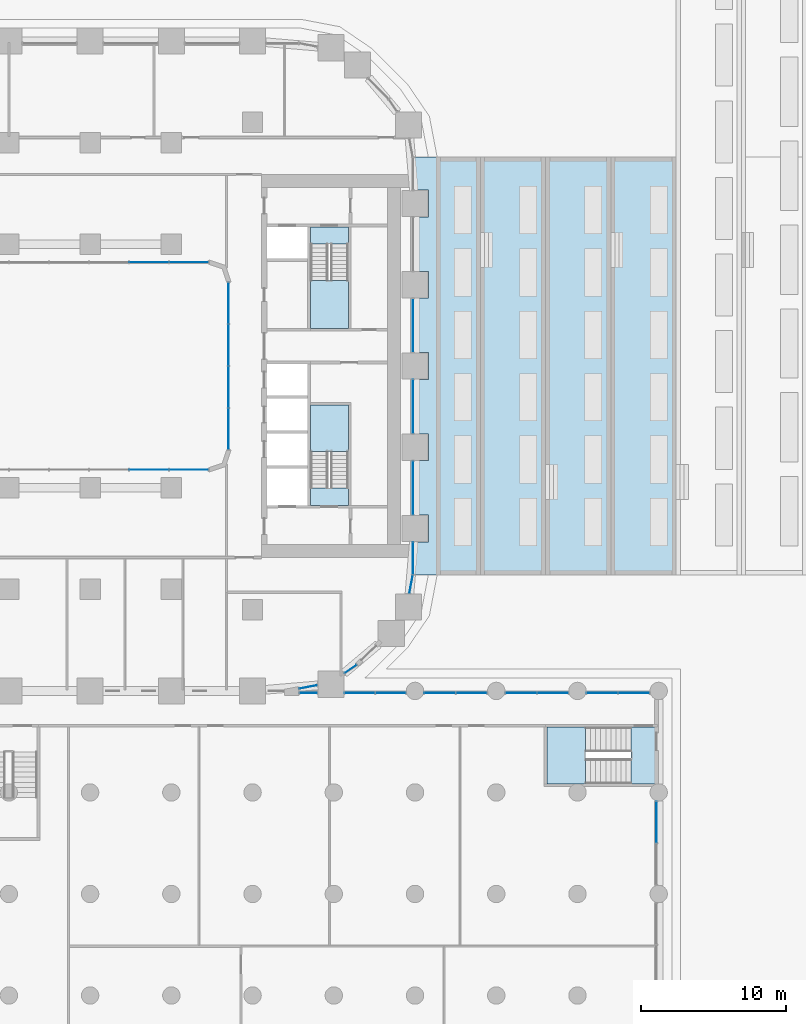
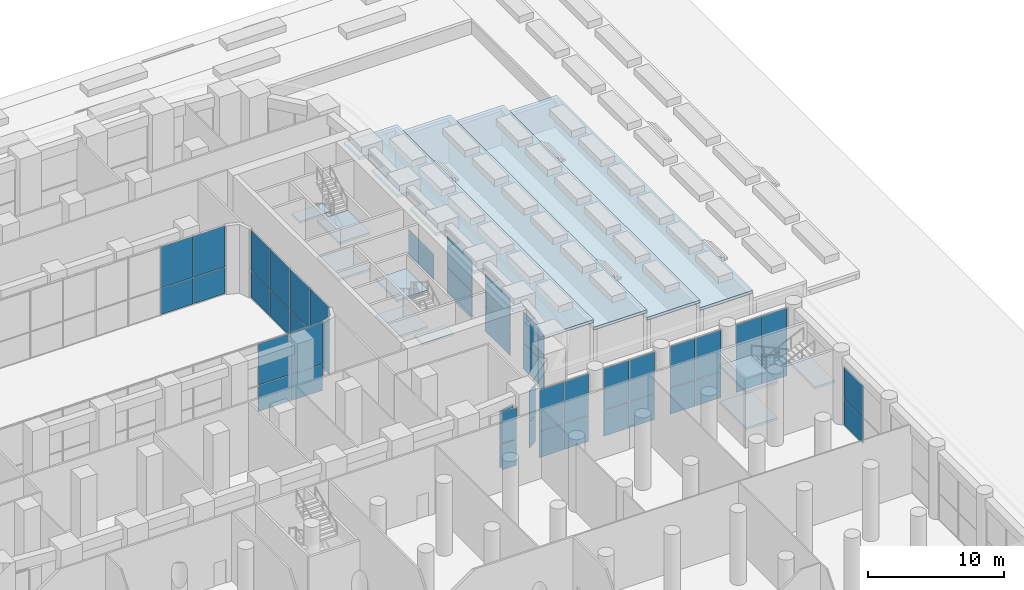
# One storey, part 26 of 51: 49 plates, 13 slabs, 19 elements without a shape of their own.
"""IFC4 building model written with IfcOpenShell, lengths in metres."""

import ifcopenshell
import ifcopenshell.guid

model = None  # the IFC model being written
_history = None  # IfcOwnerHistory: only IFC2X3 demands one
_inside = {}  # id of a spatial element -> (the spatial element, [elements in it])
_under = {}  # id of a project, library or spatial element -> (it, [spatial elements below it])
_declared = {}  # id of a project -> (the project, [libraries it declares])
_typed = {}  # id of a type object -> (the type object, [elements of that type])
_made_of = {}  # id of a material, layer set ... -> (it, [elements and type objects made of it])


def new_model(schema):
    """Start an empty IFC model of exactly this schema.

    Asked for "IFC4X3", IfcOpenShell would pick the latest addendum, in which some entities
    have other attributes; the version numbers below select the first issue.
    IFC2X3 requires an IfcOwnerHistory on every rooted entity: one is made here for all.
    """
    global model, _history
    if schema == "IFC4X3":
        model = ifcopenshell.file(schema_version=(4, 3, 0, 0))
    else:
        model = ifcopenshell.file(schema=schema)
    _inside.clear()
    _under.clear()
    _declared.clear()
    _typed.clear()
    _made_of.clear()
    _history = None
    if model.schema == "IFC2X3":
        org = make("IfcOrganization", Name="unknown")
        user = make(
            "IfcPersonAndOrganization",
            ThePerson=make("IfcPerson", FamilyName="unknown"),
            TheOrganization=org,
        )
        app = make(
            "IfcApplication",
            ApplicationDeveloper=org,
            Version="unknown",
            ApplicationFullName="unknown",
            ApplicationIdentifier="unknown",
        )
        _history = make(
            "IfcOwnerHistory",
            OwningUser=user,
            OwningApplication=app,
            ChangeAction="ADDED",
            CreationDate=0,
        )
    return model


def make(cls, **values):
    """One entity of the class cls with the attributes given. An attribute that is None is left unset."""
    return model.create_entity(
        cls, **{name: value for name, value in values.items() if value is not None}
    )


def rooted(cls, **values):
    """An entity with a GlobalId (a new one), such as an element, a storey or a relation."""
    return make(cls, GlobalId=ifcopenshell.guid.new(), OwnerHistory=_history, **values)


def si_unit(unit_type, name, prefix=None):
    """IfcSIUnit, for example si_unit("LENGTHUNIT", "METRE", prefix="MILLI")."""
    return make("IfcSIUnit", UnitType=unit_type, Prefix=prefix, Name=name)


def assignment(units):
    """IfcUnitAssignment: the units of a project."""
    return None if units is None else make("IfcUnitAssignment", Units=units)


def point(xyz):
    """IfcCartesianPoint."""
    return None if xyz is None else make("IfcCartesianPoint", Coordinates=xyz)


def direction(xyz):
    """IfcDirection."""
    return None if xyz is None else make("IfcDirection", DirectionRatios=xyz)


def frame(location, z_axis=None, x_axis=None):
    """IfcAxis2Placement3D, a coordinate frame: its origin and axes. An axis left out is left unset."""
    return make(
        "IfcAxis2Placement3D",
        Location=point(location),
        Axis=direction(z_axis),
        RefDirection=direction(x_axis),
    )


def frame_2d(location, x_axis=None):
    """IfcAxis2Placement2D, a coordinate frame in the plane: its origin and x axis."""
    return make(
        "IfcAxis2Placement2D", Location=point(location), RefDirection=direction(x_axis)
    )


def origin():
    """The frame at (0, 0, 0) with its axes left unset."""
    return frame((0.0, 0.0, 0.0))


def origin_2d():
    """The frame at (0, 0) in the plane with its x axis left unset."""
    return frame_2d((0.0, 0.0))


def place(relative_to, where):
    """IfcLocalPlacement: puts the frame where relative to a parent placement (None: the world)."""
    return make(
        "IfcLocalPlacement", PlacementRelTo=relative_to, RelativePlacement=where
    )


def context(
    kind, dimensions, precision=None, world=None, true_north=None, identifier=None
):
    """IfcGeometricRepresentationContext, for example the 3D "Model" context."""
    return make(
        "IfcGeometricRepresentationContext",
        ContextIdentifier=identifier,
        ContextType=kind,
        CoordinateSpaceDimension=dimensions,
        Precision=precision,
        WorldCoordinateSystem=world,
        TrueNorth=true_north,
    )


def subcontext(parent, identifier, kind, view, scale=None):
    """IfcGeometricRepresentationSubContext, for example "Body" below "Model"."""
    return make(
        "IfcGeometricRepresentationSubContext",
        ContextIdentifier=identifier,
        ContextType=kind,
        ParentContext=parent,
        TargetScale=scale,
        TargetView=view,
    )


def project(units=None, contexts=None):
    """IfcProject with its units and contexts."""
    return rooted(
        "IfcProject",
        Name="project",
        RepresentationContexts=contexts,
        UnitsInContext=assignment(units),
    )


def spatial(cls, under=None, at=None, **own):
    """A site, building, storey or space (cls), placed at a placement, below another one or the project."""
    s = rooted(cls, ObjectPlacement=at, **own)
    if under is not None:
        _under.setdefault(under.id(), (under, []))[1].append(s)
    return s


def polyline(points):
    """IfcPolyline through the points."""
    return make("IfcPolyline", Points=[point(p) for p in points])


def profile(cls, at=None, kind="AREA", **sizes):
    """A parametric profile (cls). Its sizes go by their IFC names, for example OverallWidth=200.0."""
    return make(cls, ProfileType=kind, Position=at, **sizes)


def rectangle(**sizes):
    """IfcRectangleProfileDef."""
    return profile("IfcRectangleProfileDef", **sizes)


def outline(outer, holes=None, kind="AREA"):
    """IfcArbitraryClosedProfileDef: a profile drawn as a closed curve; with holes, ...WithVoids."""
    if holes is None:
        return make("IfcArbitraryClosedProfileDef", ProfileType=kind, OuterCurve=outer)
    return make(
        "IfcArbitraryProfileDefWithVoids",
        ProfileType=kind,
        OuterCurve=outer,
        InnerCurves=holes,
    )


def extrude(swept, where, along, depth):
    """IfcExtrudedAreaSolid: the profile swept, set in the frame where, extruded along a direction by depth."""
    return make(
        "IfcExtrudedAreaSolid",
        SweptArea=swept,
        Position=where,
        ExtrudedDirection=direction(along),
        Depth=depth,
    )


def shape(context_of_items, identifier, shape_type, items):
    """IfcShapeRepresentation: the items that make up one representation, for example the "Body"."""
    return make(
        "IfcShapeRepresentation",
        ContextOfItems=context_of_items,
        RepresentationIdentifier=identifier,
        RepresentationType=shape_type,
        Items=items,
    )


def material(Name=None, Category=None):
    """IfcMaterial."""
    return make("IfcMaterial", Name=Name, Category=Category)


def layer(
    of_material, thickness, ventilated=None, Name=None, Category=None, Priority=None
):
    """IfcMaterialLayer: one layer of a wall or slab, of a material (None: an air gap)."""
    return make(
        "IfcMaterialLayer",
        Material=of_material,
        LayerThickness=thickness,
        IsVentilated=ventilated,
        Name=Name,
        Category=Category,
        Priority=Priority,
    )


def layer_set(layers, Name=None):
    """IfcMaterialLayerSet."""
    return make("IfcMaterialLayerSet", MaterialLayers=layers, LayerSetName=Name)


def made_of(thing, what):
    """Note that an element or type object is made of a material, layer set ...; save() writes the relation."""
    if what is not None:
        _made_of.setdefault(what.id(), (what, []))[1].append(thing)
    return thing


def type_object(cls, material=None, **own):
    """A type object (cls), such as IfcWallType, which elements share."""
    return made_of(rooted(cls, **own), material)


def element(
    cls,
    number,
    at=None,
    inside=None,
    cuts=None,
    type_object=None,
    material=None,
    context=None,
    identifier="Body",
    shape_type=None,
    held_by="IfcProductDefinitionShape",
    body=None,
    shapes=None,
    **own,
):
    """One element of the class cls, such as IfcWall. Its Tag is "e" and its number.

    at: its placement. inside: the storey or other place that contains it. cuts: it is an
    opening in that element (IfcRelVoidsElement). A single representation is given by context,
    identifier, shape_type and body (its items); several are given by shapes. held_by: the class
    of the entity that holds the representations. save() writes the other relations.
    """
    e = rooted(cls, Tag="e%d" % number, ObjectPlacement=at, **own)
    if body is not None:
        shapes = [shape(context, identifier, shape_type, body)]
    if shapes is not None:
        e.Representation = make(held_by, Representations=shapes)
    if inside is not None:
        _inside.setdefault(inside.id(), (inside, []))[1].append(e)
    if cuts is not None:
        rooted(
            "IfcRelVoidsElement", RelatingBuildingElement=cuts, RelatedOpeningElement=e
        )
    if type_object is not None:
        _typed.setdefault(type_object.id(), (type_object, []))[1].append(e)
    return made_of(e, material)


def aggregate(whole, parts):
    """IfcRelAggregates: a whole, such as a stair, and the parts it consists of."""
    return rooted("IfcRelAggregates", RelatingObject=whole, RelatedObjects=parts)


def save(model, path):
    """Write the relations noted so far, then the file.

    IfcRelAggregates (storeys below a building ...), IfcRelContainedInSpatialStructure (elements
    in a storey), IfcRelDefinesByType, IfcRelAssociatesMaterial and IfcRelDeclares: one each for
    every whole, place, type object, material and project.
    """
    for whole, parts in _under.values():
        aggregate(whole, parts)
    for where, things in _inside.values():
        rooted(
            "IfcRelContainedInSpatialStructure",
            RelatedElements=things,
            RelatingStructure=where,
        )
    for kind, things in _typed.values():
        rooted("IfcRelDefinesByType", RelatedObjects=things, RelatingType=kind)
    for what, things in _made_of.values():
        rooted("IfcRelAssociatesMaterial", RelatedObjects=things, RelatingMaterial=what)
    for by, libraries in _declared.values():
        rooted("IfcRelDeclares", RelatingContext=by, RelatedDefinitions=libraries)
    model.write(path)


model = new_model("IFC4")

# Units and contexts
model_context = context("Model", 3, precision=1e-05, world=origin(), true_north=direction((0.0, 1.0)))
body_context = subcontext(model_context, "Body", "Model", "MODEL_VIEW")
ifc_project = project(units=[si_unit("LENGTHUNIT", "METRE"), si_unit("AREAUNIT", "SQUARE_METRE"), si_unit("VOLUMEUNIT", "CUBIC_METRE"), si_unit("PLANEANGLEUNIT", "RADIAN"), si_unit("MASSUNIT", "GRAM", prefix="KILO")], contexts=[model_context])

# Site, building, storey
site_placement = place(None, origin())
site = spatial("IfcSite", under=ifc_project, at=site_placement, CompositionType="ELEMENT")
building_placement = place(site_placement, origin())
building = spatial("IfcBuilding", under=site, at=building_placement, Name="Kiln Ring Residences", CompositionType="ELEMENT")
storey_placement = place(building_placement, origin())
storey = spatial("IfcBuildingStorey", under=building, at=storey_placement, Name="L00", CompositionType="ELEMENT", Elevation=0.0)

# Stair, slabs
ifc_material_1 = material(Name="Concrete C40/50", Category="concrete")
stair_type_1 = type_object("IfcStairType", Name="CORE-STAIR", PredefinedType="HALF_TURN_STAIR", material=ifc_material_1)
placement_1 = place(storey_placement, origin())
stair_1 = element("IfcStair", 1, at=placement_1, inside=storey, type_object=stair_type_1, Name="L00 stair E-STN", PredefinedType="HALF_TURN_STAIR")
ifc_material_2 = material(Name="Concrete C40/50", Category="concrete")
ifc_layer_1 = layer(ifc_material_2, 0.199951171875)
ifc_layer_set_1 = layer_set([ifc_layer_1], Name="CORE-STAIR-LANDING")
slab_type_1 = type_object("IfcSlabType", Name="CORE-STAIR-LANDING", PredefinedType="LANDING", material=ifc_layer_set_1)
placement_2 = place(storey_placement, frame((0.0, 0.0, 1.425048828125)))
slab_1 = element("IfcSlab", 2, at=placement_2, type_object=slab_type_1, Name="E-STN landing 1", PredefinedType="LANDING", context=body_context, shape_type="SweptSolid", body=[
    extrude(outline(polyline([(20.800048828125, 5.8798828125), (20.800048828125, 2.60009765625), (23.39990234375, 2.60009765625), (23.39990234375, 5.8798828125), (20.800048828125, 5.8798828125)])), origin(), (0.0, 0.0, 1.0), 0.199951171875),
])
placement_3 = place(storey_placement, frame((0.0, 0.0, 3.050048828125)))
slab_2 = element("IfcSlab", 3, at=placement_3, type_object=slab_type_1, Name="E-STN landing 2", PredefinedType="LANDING", context=body_context, shape_type="SweptSolid", body=[
    extrude(outline(polyline([(20.800048828125, 9.60009765625), (20.800048828125, 8.39990234375), (23.39990234375, 8.39990234375), (23.39990234375, 9.60009765625), (20.800048828125, 9.60009765625)])), origin(), (0.0, 0.0, 1.0), 0.199951171875),
])
placement_4 = place(storey_placement, frame((0.0, 0.0, 4.675048828125)))
slab_3 = element("IfcSlab", 4, at=placement_4, type_object=slab_type_1, Name="E-STN landing 3", PredefinedType="LANDING", context=body_context, shape_type="SweptSolid", body=[
    extrude(outline(polyline([(20.800048828125, 5.8798828125), (20.800048828125, 2.60009765625), (23.39990234375, 2.60009765625), (23.39990234375, 5.8798828125), (20.800048828125, 5.8798828125)])), origin(), (0.0, 0.0, 1.0), 0.199951171875),
])
aggregate(stair_1, [slab_1, slab_2, slab_3])

stair_2 = element("IfcStair", 5, at=placement_1, inside=storey, type_object=stair_type_1, Name="L00 stair E-STS", PredefinedType="HALF_TURN_STAIR")
slab_4 = element("IfcSlab", 6, at=placement_2, type_object=slab_type_1, Name="E-STS landing 1", PredefinedType="LANDING", context=body_context, shape_type="SweptSolid", body=[
    extrude(outline(polyline([(23.39990234375, -5.8798828125), (23.39990234375, -2.699951171875), (20.800048828125, -2.699951171875), (20.800048828125, -5.8798828125), (23.39990234375, -5.8798828125)])), origin(), (0.0, 0.0, 1.0), 0.199951171875),
])
slab_5 = element("IfcSlab", 7, at=placement_3, type_object=slab_type_1, Name="E-STS landing 2", PredefinedType="LANDING", context=body_context, shape_type="SweptSolid", body=[
    extrude(outline(polyline([(23.39990234375, -9.60009765625), (23.39990234375, -8.39990234375), (20.800048828125, -8.39990234375), (20.800048828125, -9.60009765625), (23.39990234375, -9.60009765625)])), origin(), (0.0, 0.0, 1.0), 0.199951171875),
])
slab_6 = element("IfcSlab", 8, at=placement_4, type_object=slab_type_1, Name="E-STS landing 3", PredefinedType="LANDING", context=body_context, shape_type="SweptSolid", body=[
    extrude(outline(polyline([(23.39990234375, -5.8798828125), (23.39990234375, -2.699951171875), (20.800048828125, -2.699951171875), (20.800048828125, -5.8798828125), (23.39990234375, -5.8798828125)])), origin(), (0.0, 0.0, 1.0), 0.199951171875),
])
aggregate(stair_2, [slab_4, slab_5, slab_6])

# Curtain wall, plates
ifc_material_3 = material(Name="Aluminium and glass", Category="aluminium")
ifc_layer_2 = layer(ifc_material_3, 0.179931640625)
ifc_layer_set_2 = layer_set([ifc_layer_2], Name="CW2 CURTAIN WALL")
curtain_wall_type = type_object("IfcCurtainWallType", Name="CW2 CURTAIN WALL", PredefinedType="NOTDEFINED", material=ifc_layer_set_2)
curtain_wall_1 = element("IfcCurtainWall", 9, at=placement_1, inside=storey, type_object=curtain_wall_type, Name="Curtain wall CW2 L00", PredefinedType="NOTDEFINED")
ifc_material_4 = material(Name="Glass, clear toughened", Category="glass")
ifc_layer_3 = layer(ifc_material_4, 0.02392578125)
ifc_layer_set_3 = layer_set([ifc_layer_3], Name="CW2 PANEL 24")
plate_type = type_object("IfcPlateType", Name="CW2 PANEL 24", PredefinedType="CURTAIN_PANEL", material=ifc_layer_set_3)
plate_1_placement = place(storey_placement, frame((44.64990234375, -31.46240234375, 0.0498046875), z_axis=(0.0, 0.0, 1.0), x_axis=(0.0, 1.0, 0.0)))
plate_1 = element("IfcPlate", 10, at=plate_1_placement, type_object=plate_type, Name="CW2 panel 2.1", PredefinedType="CURTAIN_PANEL", context=body_context, shape_type="SweptSolid", body=[
    extrude(rectangle(XDim=2.824951171875, YDim=0.02392578125, at=origin_2d()), origin(), (0.0, 0.0, 1.0), 2.324951171875),
])
plate_2_placement = place(storey_placement, frame((44.64990234375, -31.46240234375, 2.425048828125), z_axis=(0.0, 0.0, 1.0), x_axis=(0.0, 1.0, 0.0)))
plate_2 = element("IfcPlate", 11, at=plate_2_placement, type_object=plate_type, Name="CW2 panel 2.2", PredefinedType="CURTAIN_PANEL", context=body_context, shape_type="SweptSolid", body=[
    extrude(rectangle(XDim=2.824951171875, YDim=0.02392578125, at=origin_2d()), origin(), (0.0, 0.0, 1.0), 2.875),
])
aggregate(curtain_wall_1, [plate_1, plate_2])

curtain_wall_2 = element("IfcCurtainWall", 12, at=placement_1, inside=storey, type_object=curtain_wall_type, Name="Curtain wall CW2 L00", PredefinedType="NOTDEFINED")
plate_3_placement = place(storey_placement, frame((43.08740234375, -22.550048828125, 0.0498046875), z_axis=(0.0, 0.0, 1.0), x_axis=(-1.0, 0.0, 0.0)))
plate_3 = element("IfcPlate", 13, at=plate_3_placement, type_object=plate_type, Name="CW2 panel 1.1", PredefinedType="CURTAIN_PANEL", context=body_context, shape_type="SweptSolid", body=[
    extrude(rectangle(XDim=2.125, YDim=0.02392578125, at=origin_2d()), origin(), (0.0, 0.0, 1.0), 2.324951171875),
])
plate_4_placement = place(storey_placement, frame((43.08740234375, -22.550048828125, 2.4248046875), z_axis=(0.0, 0.0, 1.0), x_axis=(-1.0, 0.0, 0.0)))
plate_4 = element("IfcPlate", 14, at=plate_4_placement, type_object=plate_type, Name="CW2 panel 1.2", PredefinedType="CURTAIN_PANEL", context=body_context, shape_type="SweptSolid", body=[
    extrude(rectangle(XDim=2.125, YDim=0.02392578125, at=origin_2d()), origin(), (0.0, 0.0, 1.0), 3.675048828125),
])
plate_5_placement = place(storey_placement, frame((40.91259765625, -22.550048828125, 0.0498046875), z_axis=(0.0, 0.0, 1.0), x_axis=(-1.0, 0.0, 0.0)))
plate_5 = element("IfcPlate", 15, at=plate_5_placement, type_object=plate_type, Name="CW2 panel 2.1", PredefinedType="CURTAIN_PANEL", context=body_context, shape_type="SweptSolid", body=[
    extrude(rectangle(XDim=2.125, YDim=0.02392578125, at=origin_2d()), origin(), (0.0, 0.0, 1.0), 2.324951171875),
])
plate_6_placement = place(storey_placement, frame((40.91259765625, -22.550048828125, 2.4248046875), z_axis=(0.0, 0.0, 1.0), x_axis=(-1.0, 0.0, 0.0)))
plate_6 = element("IfcPlate", 16, at=plate_6_placement, type_object=plate_type, Name="CW2 panel 2.2", PredefinedType="CURTAIN_PANEL", context=body_context, shape_type="SweptSolid", body=[
    extrude(rectangle(XDim=2.125, YDim=0.02392578125, at=origin_2d()), origin(), (0.0, 0.0, 1.0), 3.675048828125),
])
aggregate(curtain_wall_2, [plate_3, plate_4, plate_5, plate_6])

curtain_wall_3 = element("IfcCurtainWall", 17, at=placement_1, inside=storey, type_object=curtain_wall_type, Name="Curtain wall CW2 L00", PredefinedType="NOTDEFINED")
plate_7_placement = place(storey_placement, frame((37.487548828125, -22.550048828125, 0.0498046875), z_axis=(0.0, 0.0, 1.0), x_axis=(-1.0, 0.0, 0.0)))
plate_7 = element("IfcPlate", 18, at=plate_7_placement, type_object=plate_type, Name="CW2 panel 1.1", PredefinedType="CURTAIN_PANEL", context=body_context, shape_type="SweptSolid", body=[
    extrude(rectangle(XDim=2.125, YDim=0.02392578125, at=origin_2d()), origin(), (0.0, 0.0, 1.0), 2.324951171875),
])
plate_8_placement = place(storey_placement, frame((37.487548828125, -22.550048828125, 2.4248046875), z_axis=(0.0, 0.0, 1.0), x_axis=(-1.0, 0.0, 0.0)))
plate_8 = element("IfcPlate", 19, at=plate_8_placement, type_object=plate_type, Name="CW2 panel 1.2", PredefinedType="CURTAIN_PANEL", context=body_context, shape_type="SweptSolid", body=[
    extrude(rectangle(XDim=2.125, YDim=0.02392578125, at=origin_2d()), origin(), (0.0, 0.0, 1.0), 3.675048828125),
])
plate_9_placement = place(storey_placement, frame((35.3125, -22.550048828125, 0.0498046875), z_axis=(0.0, 0.0, 1.0), x_axis=(-1.0, 0.0, 0.0)))
plate_9 = element("IfcPlate", 20, at=plate_9_placement, type_object=plate_type, Name="CW2 panel 2.1", PredefinedType="CURTAIN_PANEL", context=body_context, shape_type="SweptSolid", body=[
    extrude(rectangle(XDim=2.125, YDim=0.02392578125, at=origin_2d()), origin(), (0.0, 0.0, 1.0), 2.324951171875),
])
plate_10_placement = place(storey_placement, frame((35.3125, -22.550048828125, 2.4248046875), z_axis=(0.0, 0.0, 1.0), x_axis=(-1.0, 0.0, 0.0)))
plate_10 = element("IfcPlate", 21, at=plate_10_placement, type_object=plate_type, Name="CW2 panel 2.2", PredefinedType="CURTAIN_PANEL", context=body_context, shape_type="SweptSolid", body=[
    extrude(rectangle(XDim=2.125, YDim=0.02392578125, at=origin_2d()), origin(), (0.0, 0.0, 1.0), 3.675048828125),
])
aggregate(curtain_wall_3, [plate_7, plate_8, plate_9, plate_10])

curtain_wall_4 = element("IfcCurtainWall", 22, at=placement_1, inside=storey, type_object=curtain_wall_type, Name="Curtain wall CW2 L00", PredefinedType="NOTDEFINED")
plate_11_placement = place(storey_placement, frame((31.887451171875, -22.550048828125, 0.0498046875), z_axis=(0.0, 0.0, 1.0), x_axis=(-1.0, 0.0, 0.0)))
plate_11 = element("IfcPlate", 23, at=plate_11_placement, type_object=plate_type, Name="CW2 panel 1.1", PredefinedType="CURTAIN_PANEL", context=body_context, shape_type="SweptSolid", body=[
    extrude(rectangle(XDim=2.125, YDim=0.02392578125, at=origin_2d()), origin(), (0.0, 0.0, 1.0), 2.324951171875),
])
plate_12_placement = place(storey_placement, frame((31.887451171875, -22.550048828125, 2.4248046875), z_axis=(0.0, 0.0, 1.0), x_axis=(-1.0, 0.0, 0.0)))
plate_12 = element("IfcPlate", 24, at=plate_12_placement, type_object=plate_type, Name="CW2 panel 1.2", PredefinedType="CURTAIN_PANEL", context=body_context, shape_type="SweptSolid", body=[
    extrude(rectangle(XDim=2.125, YDim=0.02392578125, at=origin_2d()), origin(), (0.0, 0.0, 1.0), 3.675048828125),
])
plate_13_placement = place(storey_placement, frame((29.71240234375, -22.550048828125, 0.0498046875), z_axis=(0.0, 0.0, 1.0), x_axis=(-1.0, 0.0, 0.0)))
plate_13 = element("IfcPlate", 25, at=plate_13_placement, type_object=plate_type, Name="CW2 panel 2.1", PredefinedType="CURTAIN_PANEL", context=body_context, shape_type="SweptSolid", body=[
    extrude(rectangle(XDim=2.125, YDim=0.02392578125, at=origin_2d()), origin(), (0.0, 0.0, 1.0), 2.324951171875),
])
plate_14_placement = place(storey_placement, frame((29.71240234375, -22.550048828125, 2.4248046875), z_axis=(0.0, 0.0, 1.0), x_axis=(-1.0, 0.0, 0.0)))
plate_14 = element("IfcPlate", 26, at=plate_14_placement, type_object=plate_type, Name="CW2 panel 2.2", PredefinedType="CURTAIN_PANEL", context=body_context, shape_type="SweptSolid", body=[
    extrude(rectangle(XDim=2.125, YDim=0.02392578125, at=origin_2d()), origin(), (0.0, 0.0, 1.0), 3.675048828125),
])
aggregate(curtain_wall_4, [plate_11, plate_12, plate_13, plate_14])

curtain_wall_5 = element("IfcCurtainWall", 27, at=placement_1, inside=storey, type_object=curtain_wall_type, Name="Curtain wall CW2 L00", PredefinedType="NOTDEFINED")
plate_15_placement = place(storey_placement, frame((26.314697265625, -22.550048828125, 0.0498046875), z_axis=(0.0, 0.0, 1.0), x_axis=(-1.0, 0.0, 0.0)))
plate_15 = element("IfcPlate", 28, at=plate_15_placement, type_object=plate_type, Name="CW2 panel 1.1", PredefinedType="CURTAIN_PANEL", context=body_context, shape_type="SweptSolid", body=[
    extrude(rectangle(XDim=2.070556640625, YDim=0.02392578125, at=origin_2d()), origin(), (0.0, 0.0, 1.0), 2.324951171875),
])
plate_16_placement = place(storey_placement, frame((26.314697265625, -22.550048828125, 2.4248046875), z_axis=(0.0, 0.0, 1.0), x_axis=(-1.0, 0.0, 0.0)))
plate_16 = element("IfcPlate", 29, at=plate_16_placement, type_object=plate_type, Name="CW2 panel 1.2", PredefinedType="CURTAIN_PANEL", context=body_context, shape_type="SweptSolid", body=[
    extrude(rectangle(XDim=2.070556640625, YDim=0.02392578125, at=origin_2d()), origin(), (0.0, 0.0, 1.0), 3.675048828125),
])
plate_17_placement = place(storey_placement, frame((24.194091796875, -22.550048828125, 0.0498046875), z_axis=(0.0, 0.0, 1.0), x_axis=(-1.0, 0.0, 0.0)))
plate_17 = element("IfcPlate", 30, at=plate_17_placement, type_object=plate_type, Name="CW2 panel 2.1", PredefinedType="CURTAIN_PANEL", context=body_context, shape_type="SweptSolid", body=[
    extrude(rectangle(XDim=2.070556640625, YDim=0.02392578125, at=origin_2d()), origin(), (0.0, 0.0, 1.0), 2.324951171875),
])
plate_18_placement = place(storey_placement, frame((24.194091796875, -22.550048828125, 2.4248046875), z_axis=(0.0, 0.0, 1.0), x_axis=(-1.0, 0.0, 0.0)))
plate_18 = element("IfcPlate", 31, at=plate_18_placement, type_object=plate_type, Name="CW2 panel 2.2", PredefinedType="CURTAIN_PANEL", context=body_context, shape_type="SweptSolid", body=[
    extrude(rectangle(XDim=2.070556640625, YDim=0.02392578125, at=origin_2d()), origin(), (0.0, 0.0, 1.0), 3.675048828125),
])
aggregate(curtain_wall_5, [plate_15, plate_16, plate_17, plate_18])

curtain_wall_6 = element("IfcCurtainWall", 32, at=placement_1, inside=storey, type_object=curtain_wall_type, Name="Curtain wall CW2 L00", PredefinedType="NOTDEFINED")
plate_19_placement = place(storey_placement, frame((20.654296875, -22.550048828125, 0.0498046875), z_axis=(0.0, 0.0, 1.0), x_axis=(-1.0, 0.0, 0.0)))
plate_19 = element("IfcPlate", 33, at=plate_19_placement, type_object=plate_type, Name="CW2 panel 1.1", PredefinedType="CURTAIN_PANEL", context=body_context, shape_type="SweptSolid", body=[
    extrude(rectangle(XDim=1.208740234375, YDim=0.02392578125, at=origin_2d()), origin(), (0.0, 0.0, 1.0), 2.324951171875),
])
plate_20_placement = place(storey_placement, frame((20.654296875, -22.550048828125, 2.425048828125), z_axis=(0.0, 0.0, 1.0), x_axis=(-1.0, 0.0, 0.0)))
plate_20 = element("IfcPlate", 34, at=plate_20_placement, type_object=plate_type, Name="CW2 panel 1.2", PredefinedType="CURTAIN_PANEL", context=body_context, shape_type="SweptSolid", body=[
    extrude(rectangle(XDim=1.208740234375, YDim=0.02392578125, at=origin_2d()), origin(), (0.0, 0.0, 1.0), 2.77490234375),
])
aggregate(curtain_wall_6, [plate_19, plate_20])

curtain_wall_7 = element("IfcCurtainWall", 35, at=placement_1, inside=storey, type_object=curtain_wall_type, Name="Curtain wall CW2 L00", PredefinedType="NOTDEFINED")
plate_21_placement = place(storey_placement, frame((20.637939453125, -22.125732421875, 0.0498046875), z_axis=(0.0, 0.0, 1.0), x_axis=(0.9822902578, 0.187365550279, 0.0)))
plate_21 = element("IfcPlate", 36, at=plate_21_placement, type_object=plate_type, Name="CW2 panel 1.1", PredefinedType="CURTAIN_PANEL", context=body_context, shape_type="SweptSolid", body=[
    extrude(rectangle(XDim=1.256103515625, YDim=0.02392578125, at=origin_2d()), origin(), (0.0, 0.0, 1.0), 2.324951171875),
])
plate_22_placement = place(storey_placement, frame((20.637939453125, -22.125732421875, 2.425048828125), z_axis=(0.0, 0.0, 1.0), x_axis=(0.9822902578, 0.187365550279, 0.0)))
plate_22 = element("IfcPlate", 37, at=plate_22_placement, type_object=plate_type, Name="CW2 panel 1.2", PredefinedType="CURTAIN_PANEL", context=body_context, shape_type="SweptSolid", body=[
    extrude(rectangle(XDim=1.256103515625, YDim=0.02392578125, at=origin_2d()), origin(), (0.0, 0.0, 1.0), 2.77490234375),
])
aggregate(curtain_wall_7, [plate_21, plate_22])

curtain_wall_8 = element("IfcCurtainWall", 38, at=placement_1, inside=storey, type_object=curtain_wall_type, Name="Curtain wall CW2 L00", PredefinedType="NOTDEFINED")
plate_23_placement = place(storey_placement, frame((23.560791015625, -20.885986328125, 0.0498046875), z_axis=(0.0, 0.0, 1.0), x_axis=(0.827071553488, 0.562096651308, 0.0)))
plate_23 = element("IfcPlate", 39, at=plate_23_placement, type_object=plate_type, Name="CW2 panel 1.1", PredefinedType="CURTAIN_PANEL", context=body_context, shape_type="SweptSolid", body=[
    extrude(rectangle(XDim=0.9931640625, YDim=0.02392578125, at=origin_2d()), origin(), (0.0, 0.0, 1.0), 2.324951171875),
])
plate_24_placement = place(storey_placement, frame((23.560791015625, -20.885986328125, 2.425048828125), z_axis=(0.0, 0.0, 1.0), x_axis=(0.827071553488, 0.562096651308, 0.0)))
plate_24 = element("IfcPlate", 40, at=plate_24_placement, type_object=plate_type, Name="CW2 panel 1.2", PredefinedType="CURTAIN_PANEL", context=body_context, shape_type="SweptSolid", body=[
    extrude(rectangle(XDim=0.9931640625, YDim=0.02392578125, at=origin_2d()), origin(), (0.0, 0.0, 1.0), 2.77490234375),
])
aggregate(curtain_wall_8, [plate_23, plate_24])

curtain_wall_9 = element("IfcCurtainWall", 41, at=placement_1, inside=storey, type_object=curtain_wall_type, Name="Curtain wall CW2 L00", PredefinedType="NOTDEFINED")
plate_25_placement = place(storey_placement, frame((27.7255859375, -15.037841796875, 0.0498046875), z_axis=(0.0, 0.0, 1.0), x_axis=(0.187365550279, 0.9822902578, 0.0)))
plate_25 = element("IfcPlate", 42, at=plate_25_placement, type_object=plate_type, Name="CW2 panel 1.1", PredefinedType="CURTAIN_PANEL", context=body_context, shape_type="SweptSolid", body=[
    extrude(rectangle(XDim=1.256103515625, YDim=0.02392578125, at=origin_2d()), origin(), (0.0, 0.0, 1.0), 2.324951171875),
])
plate_26_placement = place(storey_placement, frame((27.7255859375, -15.037841796875, 2.425048828125), z_axis=(0.0, 0.0, 1.0), x_axis=(0.187365550279, 0.9822902578, 0.0)))
plate_26 = element("IfcPlate", 43, at=plate_26_placement, type_object=plate_type, Name="CW2 panel 1.2", PredefinedType="CURTAIN_PANEL", context=body_context, shape_type="SweptSolid", body=[
    extrude(rectangle(XDim=1.256103515625, YDim=0.02392578125, at=origin_2d()), origin(), (0.0, 0.0, 1.0), 2.77490234375),
])
aggregate(curtain_wall_9, [plate_25, plate_26])

curtain_wall_10 = element("IfcCurtainWall", 44, at=placement_1, inside=storey, type_object=curtain_wall_type, Name="Curtain wall CW2 L00", PredefinedType="NOTDEFINED")
plate_27_placement = place(storey_placement, frame((27.85009765625, -13.25, 0.0498046875), z_axis=(0.0, 0.0, 1.0), x_axis=(0.0, 1.0, 0.0)))
plate_27 = element("IfcPlate", 45, at=plate_27_placement, type_object=plate_type, Name="CW2 panel 1.1", PredefinedType="CURTAIN_PANEL", context=body_context, shape_type="SweptSolid", body=[
    extrude(rectangle(XDim=2.199951171875, YDim=0.02392578125, at=origin_2d()), origin(), (0.0, 0.0, 1.0), 2.324951171875),
])
plate_28_placement = place(storey_placement, frame((27.85009765625, -13.25, 2.425048828125), z_axis=(0.0, 0.0, 1.0), x_axis=(0.0, 1.0, 0.0)))
plate_28 = element("IfcPlate", 46, at=plate_28_placement, type_object=plate_type, Name="CW2 panel 1.2", PredefinedType="CURTAIN_PANEL", context=body_context, shape_type="SweptSolid", body=[
    extrude(rectangle(XDim=2.199951171875, YDim=0.02392578125, at=origin_2d()), origin(), (0.0, 0.0, 1.0), 2.77490234375),
])
aggregate(curtain_wall_10, [plate_27, plate_28])

curtain_wall_11 = element("IfcCurtainWall", 47, at=placement_1, inside=storey, type_object=curtain_wall_type, Name="Curtain wall CW2 L00", PredefinedType="NOTDEFINED")
plate_29_placement = place(storey_placement, frame((27.85009765625, -8.39990234375, 0.0498046875), z_axis=(0.0, 0.0, 1.0), x_axis=(0.0, 1.0, 0.0)))
plate_29 = element("IfcPlate", 48, at=plate_29_placement, type_object=plate_type, Name="CW2 panel 1.1", PredefinedType="CURTAIN_PANEL", context=body_context, shape_type="SweptSolid", body=[
    extrude(rectangle(XDim=3.699951171875, YDim=0.02392578125, at=origin_2d()), origin(), (0.0, 0.0, 1.0), 2.324951171875),
])
plate_30_placement = place(storey_placement, frame((27.85009765625, -8.39990234375, 2.425048828125), z_axis=(0.0, 0.0, 1.0), x_axis=(0.0, 1.0, 0.0)))
plate_30 = element("IfcPlate", 49, at=plate_30_placement, type_object=plate_type, Name="CW2 panel 1.2", PredefinedType="CURTAIN_PANEL", context=body_context, shape_type="SweptSolid", body=[
    extrude(rectangle(XDim=3.699951171875, YDim=0.02392578125, at=origin_2d()), origin(), (0.0, 0.0, 1.0), 2.77490234375),
])
aggregate(curtain_wall_11, [plate_29, plate_30])

curtain_wall_12 = element("IfcCurtainWall", 50, at=placement_1, inside=storey, type_object=curtain_wall_type, Name="Curtain wall CW2 L00", PredefinedType="NOTDEFINED")
plate_31_placement = place(storey_placement, frame((27.85009765625, -2.800048828125, 0.0498046875), z_axis=(0.0, 0.0, 1.0), x_axis=(0.0, 1.0, 0.0)))
plate_31 = element("IfcPlate", 51, at=plate_31_placement, type_object=plate_type, Name="CW2 panel 1.1", PredefinedType="CURTAIN_PANEL", context=body_context, shape_type="SweptSolid", body=[
    extrude(rectangle(XDim=3.699951171875, YDim=0.02392578125, at=origin_2d()), origin(), (0.0, 0.0, 1.0), 2.324951171875),
])
plate_32_placement = place(storey_placement, frame((27.85009765625, -2.800048828125, 2.425048828125), z_axis=(0.0, 0.0, 1.0), x_axis=(0.0, 1.0, 0.0)))
plate_32 = element("IfcPlate", 52, at=plate_32_placement, type_object=plate_type, Name="CW2 panel 1.2", PredefinedType="CURTAIN_PANEL", context=body_context, shape_type="SweptSolid", body=[
    extrude(rectangle(XDim=3.699951171875, YDim=0.02392578125, at=origin_2d()), origin(), (0.0, 0.0, 1.0), 2.77490234375),
])
aggregate(curtain_wall_12, [plate_31, plate_32])

# Curtain wall, plate
curtain_wall_13 = element("IfcCurtainWall", 53, at=placement_1, inside=storey, type_object=curtain_wall_type, Name="Curtain wall CW2 L00", PredefinedType="NOTDEFINED")
plate_33_placement = place(storey_placement, frame((27.85009765625, 2.800048828125, 0.0498046875), z_axis=(0.0, 0.0, 1.0), x_axis=(0.0, 1.0, 0.0)))
plate_33 = element("IfcPlate", 54, at=plate_33_placement, type_object=plate_type, Name="CW2 panel 1.1", PredefinedType="CURTAIN_PANEL", context=body_context, shape_type="SweptSolid", body=[
    extrude(rectangle(XDim=3.699951171875, YDim=0.02392578125, at=origin_2d()), origin(), (0.0, 0.0, 1.0), 2.324951171875),
])
aggregate(curtain_wall_13, [plate_33])

# Curtain wall, plates
curtain_wall_14 = element("IfcCurtainWall", 55, at=placement_1, inside=storey, type_object=curtain_wall_type, Name="Curtain wall CW2 L00", PredefinedType="NOTDEFINED")
plate_34_placement = place(storey_placement, frame((9.659912109375, 7.14990234375, 0.0498046875), z_axis=(0.0, 0.0, 1.0), x_axis=(1.0, 0.0, 0.0)))
plate_34 = element("IfcPlate", 56, at=plate_34_placement, type_object=plate_type, Name="CW2 panel 9.1", PredefinedType="CURTAIN_PANEL", context=body_context, shape_type="SweptSolid", body=[
    extrude(rectangle(XDim=2.7099609375, YDim=0.02392578125, at=origin_2d()), origin(), (0.0, 0.0, 1.0), 2.324951171875),
])
plate_35_placement = place(storey_placement, frame((9.659912109375, 7.14990234375, 2.4248046875), z_axis=(0.0, 0.0, 1.0), x_axis=(1.0, 0.0, 0.0)))
plate_35 = element("IfcPlate", 57, at=plate_35_placement, type_object=plate_type, Name="CW2 panel 9.2", PredefinedType="CURTAIN_PANEL", context=body_context, shape_type="SweptSolid", body=[
    extrude(rectangle(XDim=2.7099609375, YDim=0.02392578125, at=origin_2d()), origin(), (0.0, 0.0, 1.0), 3.675048828125),
])
plate_36_placement = place(storey_placement, frame((12.407470703125, 7.14990234375, 0.0498046875), z_axis=(0.0, 0.0, 1.0), x_axis=(1.0, 0.0, 0.0)))
plate_36 = element("IfcPlate", 58, at=plate_36_placement, type_object=plate_type, Name="CW2 panel 10.1", PredefinedType="CURTAIN_PANEL", context=body_context, shape_type="SweptSolid", body=[
    extrude(rectangle(XDim=2.68505859375, YDim=0.02392578125, at=origin_2d()), origin(), (0.0, 0.0, 1.0), 2.324951171875),
])
plate_37_placement = place(storey_placement, frame((12.407470703125, 7.14990234375, 2.4248046875), z_axis=(0.0, 0.0, 1.0), x_axis=(1.0, 0.0, 0.0)))
plate_37 = element("IfcPlate", 59, at=plate_37_placement, type_object=plate_type, Name="CW2 panel 10.2", PredefinedType="CURTAIN_PANEL", context=body_context, shape_type="SweptSolid", body=[
    extrude(rectangle(XDim=2.68505859375, YDim=0.02392578125, at=origin_2d()), origin(), (0.0, 0.0, 1.0), 3.675048828125),
])
aggregate(curtain_wall_14, [plate_34, plate_35, plate_36, plate_37])

curtain_wall_15 = element("IfcCurtainWall", 60, at=placement_1, inside=storey, type_object=curtain_wall_type, Name="Curtain wall CW2 L00", PredefinedType="NOTDEFINED")
plate_38_placement = place(storey_placement, frame((15.14990234375, 4.33740234375, 0.0498046875), z_axis=(0.0, 0.0, 1.0), x_axis=(0.0, -1.0, 0.0)))
plate_38 = element("IfcPlate", 61, at=plate_38_placement, type_object=plate_type, Name="CW2 panel 1.1", PredefinedType="CURTAIN_PANEL", context=body_context, shape_type="SweptSolid", body=[
    extrude(rectangle(XDim=2.824951171875, YDim=0.02392578125, at=origin_2d()), origin(), (0.0, 0.0, 1.0), 2.324951171875),
])
plate_39_placement = place(storey_placement, frame((15.14990234375, 4.33740234375, 2.4248046875), z_axis=(0.0, 0.0, 1.0), x_axis=(0.0, -1.0, 0.0)))
plate_39 = element("IfcPlate", 62, at=plate_39_placement, type_object=plate_type, Name="CW2 panel 1.2", PredefinedType="CURTAIN_PANEL", context=body_context, shape_type="SweptSolid", body=[
    extrude(rectangle(XDim=2.824951171875, YDim=0.02392578125, at=origin_2d()), origin(), (0.0, 0.0, 1.0), 3.675048828125),
])
plate_40_placement = place(storey_placement, frame((15.14990234375, 1.449951171875, 0.0498046875), z_axis=(0.0, 0.0, 1.0), x_axis=(0.0, -1.0, 0.0)))
plate_40 = element("IfcPlate", 63, at=plate_40_placement, type_object=plate_type, Name="CW2 panel 2.1", PredefinedType="CURTAIN_PANEL", context=body_context, shape_type="SweptSolid", body=[
    extrude(rectangle(XDim=2.85009765625, YDim=0.02392578125, at=origin_2d()), origin(), (0.0, 0.0, 1.0), 2.324951171875),
])
plate_41_placement = place(storey_placement, frame((15.14990234375, 1.449951171875, 2.4248046875), z_axis=(0.0, 0.0, 1.0), x_axis=(0.0, -1.0, 0.0)))
plate_41 = element("IfcPlate", 64, at=plate_41_placement, type_object=plate_type, Name="CW2 panel 2.2", PredefinedType="CURTAIN_PANEL", context=body_context, shape_type="SweptSolid", body=[
    extrude(rectangle(XDim=2.85009765625, YDim=0.02392578125, at=origin_2d()), origin(), (0.0, 0.0, 1.0), 3.675048828125),
])
plate_42_placement = place(storey_placement, frame((15.14990234375, -1.449951171875, 0.0498046875), z_axis=(0.0, 0.0, 1.0), x_axis=(0.0, -1.0, 0.0)))
plate_42 = element("IfcPlate", 65, at=plate_42_placement, type_object=plate_type, Name="CW2 panel 3.1", PredefinedType="CURTAIN_PANEL", context=body_context, shape_type="SweptSolid", body=[
    extrude(rectangle(XDim=2.85009765625, YDim=0.02392578125, at=origin_2d()), origin(), (0.0, 0.0, 1.0), 2.324951171875),
])
plate_43_placement = place(storey_placement, frame((15.14990234375, -1.449951171875, 2.4248046875), z_axis=(0.0, 0.0, 1.0), x_axis=(0.0, -1.0, 0.0)))
plate_43 = element("IfcPlate", 66, at=plate_43_placement, type_object=plate_type, Name="CW2 panel 3.2", PredefinedType="CURTAIN_PANEL", context=body_context, shape_type="SweptSolid", body=[
    extrude(rectangle(XDim=2.85009765625, YDim=0.02392578125, at=origin_2d()), origin(), (0.0, 0.0, 1.0), 3.675048828125),
])
plate_44_placement = place(storey_placement, frame((15.14990234375, -4.33740234375, 0.0498046875), z_axis=(0.0, 0.0, 1.0), x_axis=(0.0, -1.0, 0.0)))
plate_44 = element("IfcPlate", 67, at=plate_44_placement, type_object=plate_type, Name="CW2 panel 4.1", PredefinedType="CURTAIN_PANEL", context=body_context, shape_type="SweptSolid", body=[
    extrude(rectangle(XDim=2.824951171875, YDim=0.02392578125, at=origin_2d()), origin(), (0.0, 0.0, 1.0), 2.324951171875),
])
plate_45_placement = place(storey_placement, frame((15.14990234375, -4.33740234375, 2.4248046875), z_axis=(0.0, 0.0, 1.0), x_axis=(0.0, -1.0, 0.0)))
plate_45 = element("IfcPlate", 68, at=plate_45_placement, type_object=plate_type, Name="CW2 panel 4.2", PredefinedType="CURTAIN_PANEL", context=body_context, shape_type="SweptSolid", body=[
    extrude(rectangle(XDim=2.824951171875, YDim=0.02392578125, at=origin_2d()), origin(), (0.0, 0.0, 1.0), 3.675048828125),
])
aggregate(curtain_wall_15, [plate_38, plate_39, plate_40, plate_41, plate_42, plate_43, plate_44, plate_45])

curtain_wall_16 = element("IfcCurtainWall", 69, at=placement_1, inside=storey, type_object=curtain_wall_type, Name="Curtain wall CW2 L00", PredefinedType="NOTDEFINED")
plate_46_placement = place(storey_placement, frame((12.407470703125, -7.14990234375, 0.0498046875), z_axis=(0.0, 0.0, 1.0), x_axis=(-1.0, 0.0, 0.0)))
plate_46 = element("IfcPlate", 70, at=plate_46_placement, type_object=plate_type, Name="CW2 panel 1.1", PredefinedType="CURTAIN_PANEL", context=body_context, shape_type="SweptSolid", body=[
    extrude(rectangle(XDim=2.68505859375, YDim=0.02392578125, at=origin_2d()), origin(), (0.0, 0.0, 1.0), 2.324951171875),
])
plate_47_placement = place(storey_placement, frame((12.407470703125, -7.14990234375, 2.4248046875), z_axis=(0.0, 0.0, 1.0), x_axis=(-1.0, 0.0, 0.0)))
plate_47 = element("IfcPlate", 71, at=plate_47_placement, type_object=plate_type, Name="CW2 panel 1.2", PredefinedType="CURTAIN_PANEL", context=body_context, shape_type="SweptSolid", body=[
    extrude(rectangle(XDim=2.68505859375, YDim=0.02392578125, at=origin_2d()), origin(), (0.0, 0.0, 1.0), 3.675048828125),
])
plate_48_placement = place(storey_placement, frame((9.659912109375, -7.14990234375, 0.0498046875), z_axis=(0.0, 0.0, 1.0), x_axis=(-1.0, 0.0, 0.0)))
plate_48 = element("IfcPlate", 72, at=plate_48_placement, type_object=plate_type, Name="CW2 panel 2.1", PredefinedType="CURTAIN_PANEL", context=body_context, shape_type="SweptSolid", body=[
    extrude(rectangle(XDim=2.7099609375, YDim=0.02392578125, at=origin_2d()), origin(), (0.0, 0.0, 1.0), 2.324951171875),
])
plate_49_placement = place(storey_placement, frame((9.659912109375, -7.14990234375, 2.4248046875), z_axis=(0.0, 0.0, 1.0), x_axis=(-1.0, 0.0, 0.0)))
plate_49 = element("IfcPlate", 73, at=plate_49_placement, type_object=plate_type, Name="CW2 panel 2.2", PredefinedType="CURTAIN_PANEL", context=body_context, shape_type="SweptSolid", body=[
    extrude(rectangle(XDim=2.7099609375, YDim=0.02392578125, at=origin_2d()), origin(), (0.0, 0.0, 1.0), 3.675048828125),
])
aggregate(curtain_wall_16, [plate_46, plate_47, plate_48, plate_49])

# Stair, slabs
ifc_material_5 = material(Name="Concrete C40/50", Category="concrete")
stair_type_2 = type_object("IfcStairType", Name="PODIUM-STAIR", PredefinedType="HALF_TURN_STAIR", material=ifc_material_5)
stair_3 = element("IfcStair", 74, at=placement_1, inside=storey, type_object=stair_type_2, Name="L00 exit stair PS-E", PredefinedType="HALF_TURN_STAIR")
ifc_material_6 = material(Name="Concrete C40/50", Category="concrete")
ifc_layer_4 = layer(ifc_material_6, 0.199951171875)
ifc_layer_set_4 = layer_set([ifc_layer_4], Name="PODIUM-STAIR-LANDING")
slab_type_2 = type_object("IfcSlabType", Name="PODIUM-STAIR-LANDING", PredefinedType="LANDING", material=ifc_layer_set_4)
slab_7 = element("IfcSlab", 75, at=placement_2, type_object=slab_type_2, Name="PS-E landing 1", PredefinedType="LANDING", context=body_context, shape_type="SweptSolid", body=[
    extrude(outline(polyline([(39.75, -24.89990234375), (37.10009765625, -24.89990234375), (37.10009765625, -28.800048828125), (39.75, -28.800048828125), (39.75, -24.89990234375)])), origin(), (0.0, 0.0, 1.0), 0.199951171875),
])
slab_8 = element("IfcSlab", 76, at=placement_3, type_object=slab_type_2, Name="PS-E landing 2", PredefinedType="LANDING", context=body_context, shape_type="SweptSolid", body=[
    extrude(outline(polyline([(44.60009765625, -24.89990234375), (42.89990234375, -24.89990234375), (42.89990234375, -28.800048828125), (44.60009765625, -28.800048828125), (44.60009765625, -24.89990234375)])), origin(), (0.0, 0.0, 1.0), 0.199951171875),
])
slab_9 = element("IfcSlab", 77, at=placement_4, type_object=slab_type_2, Name="PS-E landing 3", PredefinedType="LANDING", context=body_context, shape_type="SweptSolid", body=[
    extrude(outline(polyline([(39.75, -24.89990234375), (37.10009765625, -24.89990234375), (37.10009765625, -28.800048828125), (39.75, -28.800048828125), (39.75, -24.89990234375)])), origin(), (0.0, 0.0, 1.0), 0.199951171875),
])
aggregate(stair_3, [slab_7, slab_8, slab_9])

# Slabs
ifc_material_7 = material(Name="Concrete C35/45", Category="concrete")
ifc_layer_5 = layer(ifc_material_7, 0.25)
ifc_layer_set_5 = layer_set([ifc_layer_5], Name="TERRACE SLAB 250")
slab_type_3 = type_object("IfcSlabType", Name="TERRACE SLAB 250", PredefinedType="FLOOR", material=ifc_layer_set_5)
slab_10_placement = place(storey_placement, frame((0.0, 0.0, 3.949951171875)))
element("IfcSlab", 78, at=slab_10_placement, inside=storey, type_object=slab_type_3, Name="Planted terrace E1", PredefinedType="FLOOR", context=body_context, shape_type="SweptSolid", body=[
    extrude(outline(polyline([(28.0, 14.39990234375), (28.0, 12.1201171875), (28.919921875, 12.1201171875), (28.919921875, 10.280029296875), (28.0, 10.280029296875), (28.0, 6.52001953125), (28.919921875, 6.52001953125), (28.919921875, 4.679931640625), (28.0, 4.679931640625), (28.0, 0.919921875), (28.919921875, 0.919921875), (28.919921875, -0.919921875), (28.0, -0.919921875), (28.0, -4.679931640625), (28.919921875, -4.679931640625), (28.919921875, -6.52001953125), (28.0, -6.52001953125), (28.0, -10.280029296875), (28.919921875, -10.280029296875), (28.919921875, -12.1201171875), (28.0, -12.1201171875), (28.0, -14.39990234375), (32.5, -14.39990234375), (32.5, 14.39990234375), (28.0, 14.39990234375)])), origin(), (0.0, 0.0, 1.0), 0.25),
])
slab_11_placement = place(storey_placement, frame((0.0, 0.0, 3.25)))
element("IfcSlab", 79, at=slab_11_placement, inside=storey, type_object=slab_type_3, Name="Planted terrace E2", PredefinedType="FLOOR", context=body_context, shape_type="SweptSolid", body=[
    extrude(outline(polyline([(37.0, -14.39990234375), (37.0, 14.39990234375), (32.5, 14.39990234375), (32.5, -14.39990234375), (37.0, -14.39990234375)])), origin(), (0.0, 0.0, 1.0), 0.25),
])
slab_12_placement = place(storey_placement, frame((0.0, 0.0, 2.550048828125)))
element("IfcSlab", 80, at=slab_12_placement, inside=storey, type_object=slab_type_3, Name="Planted terrace E3", PredefinedType="FLOOR", context=body_context, shape_type="SweptSolid", body=[
    extrude(outline(polyline([(41.5, -14.39990234375), (41.5, 14.39990234375), (37.0, 14.39990234375), (37.0, -14.39990234375), (41.5, -14.39990234375)])), origin(), (0.0, 0.0, 1.0), 0.25),
])
slab_13_placement = place(storey_placement, frame((0.0, 0.0, 1.85009765625)))
element("IfcSlab", 81, at=slab_13_placement, inside=storey, type_object=slab_type_3, Name="Planted terrace E4", PredefinedType="FLOOR", context=body_context, shape_type="SweptSolid", body=[
    extrude(outline(polyline([(46.0, -14.39990234375), (46.0, 14.39990234375), (41.5, 14.39990234375), (41.5, -14.39990234375), (46.0, -14.39990234375)])), origin(), (0.0, 0.0, 1.0), 0.25),
])

save(model, "model.ifc")
